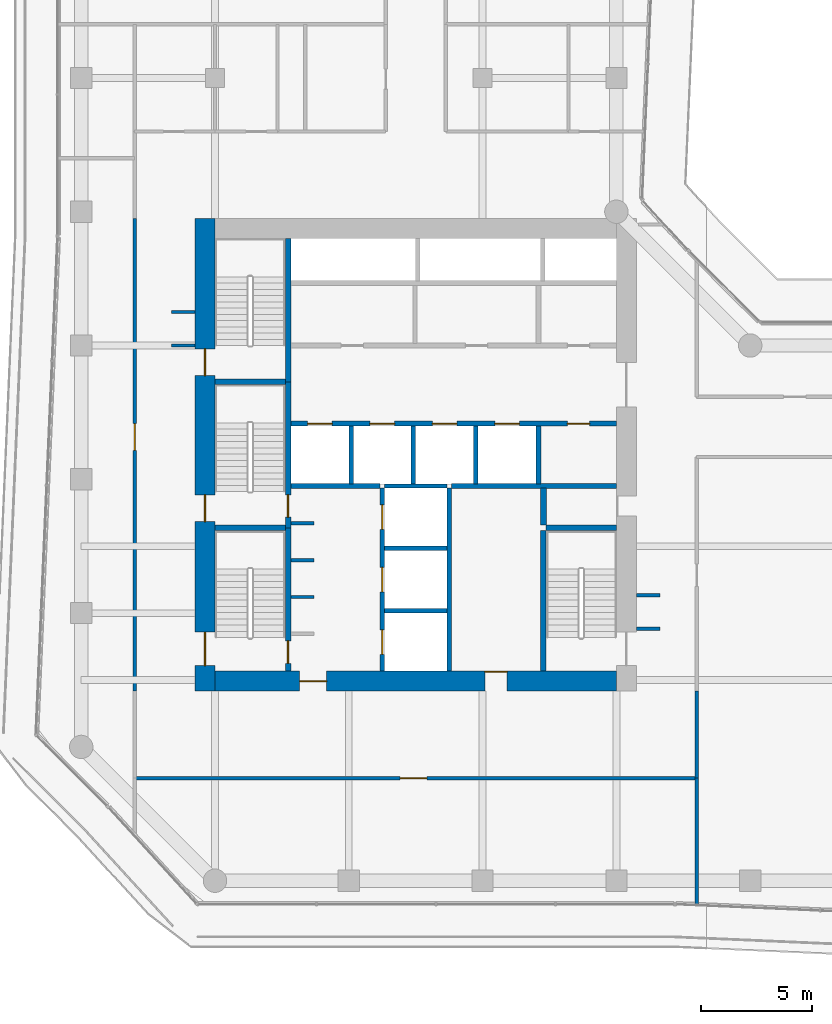
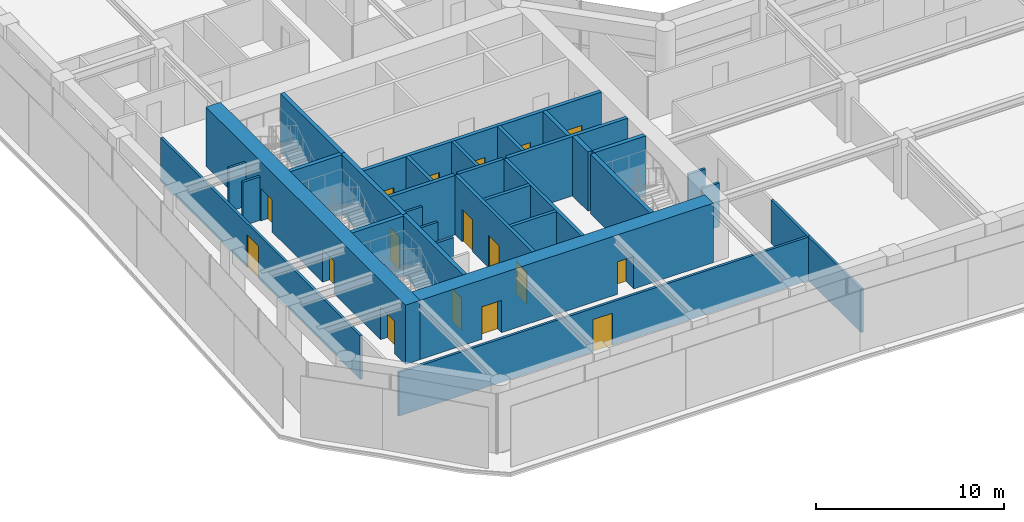
# One storey, part 23 of 29: 33 walls, 17 doors, 17 openings.
"""IFC4 building model written with IfcOpenShell, lengths in metres."""

from ifc_helpers import new_model, si_unit, direction, frame, frame_2d, origin, place, context, subcontext, project, spatial, rectangle, extrude, material, layer, layer_set, type_object, element, fill, save


model = new_model("IFC4")

# Units and contexts
model_context = context("Model", 3, precision=1e-05, world=origin(), true_north=direction((0.0, 1.0)))
body_context = subcontext(model_context, "Body", "Model", "MODEL_VIEW")
ifc_project = project(units=[si_unit("LENGTHUNIT", "METRE"), si_unit("AREAUNIT", "SQUARE_METRE"), si_unit("VOLUMEUNIT", "CUBIC_METRE"), si_unit("PLANEANGLEUNIT", "RADIAN"), si_unit("MASSUNIT", "GRAM", prefix="KILO")], contexts=[model_context])

# Site, building, storey
site_placement = place(None, origin())
site = spatial("IfcSite", under=ifc_project, at=site_placement, CompositionType="ELEMENT")
building_placement = place(site_placement, origin())
building = spatial("IfcBuilding", under=site, at=building_placement, Name="Welwitschia Terrace Campus", CompositionType="ELEMENT")
storey_placement = place(building_placement, frame((0.0, 0.0, 41.60009765625)))
storey = spatial("IfcBuildingStorey", under=building, at=storey_placement, Name="L09", CompositionType="ELEMENT", Elevation=41.60009765625)

# Walls
ifc_material_1 = material(Name="Concrete C32/40", Category="concrete")
ifc_layer_1 = layer(ifc_material_1, 0.22509765625)
ifc_layer_set_1 = layer_set([ifc_layer_1], Name="Concrete C32/40")
wall_type_1 = type_object("IfcWallType", Name="Core partition 225 Concrete C32/40", PredefinedType="PARTITIONING", material=ifc_layer_set_1)
wall_1_placement = place(storey_placement, frame((9.39990234375, 13.699951171875, 0.0), z_axis=(0.0, 0.0, 1.0), x_axis=(1.0, 0.0, 0.0)))
element("IfcWall", 1, at=wall_1_placement, inside=storey, type_object=wall_type_1, Name="Shaft wall", PredefinedType="PARTITIONING", context=body_context, shape_type="SweptSolid", body=[
    extrude(rectangle(XDim=4.0, YDim=0.22509765625, at=frame_2d((2.0, 0.0))), origin(), (0.0, 0.0, 1.0), 3.849853515625),
])
wall_2_placement = place(storey_placement, frame((16.60009765625, 13.699951171875, 0.0), z_axis=(0.0, 0.0, 1.0), x_axis=(1.0, 0.0, 0.0)))
element("IfcWall", 2, at=wall_2_placement, inside=storey, type_object=wall_type_1, Name="Shaft wall", PredefinedType="PARTITIONING", context=body_context, shape_type="SweptSolid", body=[
    extrude(rectangle(XDim=7.39990234375, YDim=0.22509765625, at=frame_2d((3.699951171875, 0.0))), origin(), (0.0, 0.0, 1.0), 3.849853515625),
])

# Wall, openings, doors
wall_3_placement = place(storey_placement, frame((9.39990234375, 16.5, 0.0), z_axis=(0.0, 0.0, 1.0), x_axis=(1.0, 0.0, 0.0)))
wall_3 = element("IfcWall", 3, at=wall_3_placement, inside=storey, type_object=wall_type_1, Name="Shaft wall", PredefinedType="PARTITIONING", context=body_context, shape_type="SweptSolid", body=[
    extrude(rectangle(XDim=14.60009765625, YDim=0.22509765625, at=frame_2d((7.300048828125, 0.0))), origin(), (0.0, 0.0, 1.0), 3.849853515625),
])
opening_1_placement = place(wall_3_placement, frame((0.75, 0.0, 0.0)))
opening_1 = element("IfcOpeningElement", 4, at=opening_1_placement, cuts=wall_3, Name="Opening LD", PredefinedType="OPENING", context=body_context, shape_type="SweptSolid", body=[
    extrude(rectangle(XDim=1.10009765625, YDim=2.10009765625, at=frame_2d((0.550048828125, 1.050048828125))), frame((0.0, 0.12255859375, 0.0), z_axis=(0.0, -1.0, 0.0), x_axis=(1.0, 0.0, 0.0)), (0.0, 0.0, 1.0), 0.2451171875),
])
opening_2_placement = place(wall_3_placement, frame((3.550048828125, 0.0, 0.0)))
opening_2 = element("IfcOpeningElement", 5, at=opening_2_placement, cuts=wall_3, Name="Opening LD", PredefinedType="OPENING", context=body_context, shape_type="SweptSolid", body=[
    extrude(rectangle(XDim=1.10009765625, YDim=2.10009765625, at=frame_2d((0.550048828125, 1.050048828125))), frame((0.0, 0.12255859375, 0.0), z_axis=(0.0, -1.0, 0.0), x_axis=(1.0, 0.0, 0.0)), (0.0, 0.0, 1.0), 0.2451171875),
])
opening_3_placement = place(wall_3_placement, frame((6.35009765625, 0.0, 0.0)))
opening_3 = element("IfcOpeningElement", 6, at=opening_3_placement, cuts=wall_3, Name="Opening LD", PredefinedType="OPENING", context=body_context, shape_type="SweptSolid", body=[
    extrude(rectangle(XDim=1.10009765625, YDim=2.10009765625, at=frame_2d((0.550048828125, 1.050048828125))), frame((0.0, 0.12255859375, 0.0), z_axis=(0.0, -1.0, 0.0), x_axis=(1.0, 0.0, 0.0)), (0.0, 0.0, 1.0), 0.2451171875),
])
opening_4_placement = place(wall_3_placement, frame((9.14990234375, 0.0, 0.0)))
opening_4 = element("IfcOpeningElement", 7, at=opening_4_placement, cuts=wall_3, Name="Opening LD", PredefinedType="OPENING", context=body_context, shape_type="SweptSolid", body=[
    extrude(rectangle(XDim=1.10009765625, YDim=2.10009765625, at=frame_2d((0.550048828125, 1.050048828125))), frame((0.0, 0.12255859375, 0.0), z_axis=(0.0, -1.0, 0.0), x_axis=(1.0, 0.0, 0.0)), (0.0, 0.0, 1.0), 0.2451171875),
])
opening_5_placement = place(wall_3_placement, frame((12.39990234375, 0.0, 0.0)))
opening_5 = element("IfcOpeningElement", 8, at=opening_5_placement, cuts=wall_3, Name="Opening DR10", PredefinedType="OPENING", context=body_context, shape_type="SweptSolid", body=[
    extrude(rectangle(XDim=1.0, YDim=2.10009765625, at=frame_2d((0.5, 1.050048828125))), frame((0.0, 0.12255859375, 0.0), z_axis=(0.0, -1.0, 0.0), x_axis=(1.0, 0.0, 0.0)), (0.0, 0.0, 1.0), 0.2451171875),
])
ifc_material_2 = material(Name="Steel S275", Category="steel")
door_type_1 = type_object("IfcDoorType", Name="Core door DR10", OperationType="SINGLE_SWING_LEFT", PredefinedType="DOOR", material=ifc_material_2)
door_1_placement = place(opening_5_placement, origin())
door_1 = element("IfcDoor", 9, at=door_1_placement, inside=storey, type_object=door_type_1, Name="Door EL-D", OperationType="SINGLE_SWING_RIGHT", OverallHeight=2.10009765625, OverallWidth=1.0, PredefinedType="DOOR", context=body_context, shape_type="SweptSolid", body=[
    extrude(rectangle(XDim=1.0, YDim=2.10009765625, at=frame_2d((0.5, 1.050048828125))), frame((0.0, 0.02490234375, 0.0), z_axis=(0.0, -1.0, 0.0), x_axis=(1.0, 0.0, 0.0)), (0.0, 0.0, 1.0), 0.050048828125),
])
fill(opening_5, door_1)
ifc_material_3 = material(Name="Stainless steel 304", Category="steel")
door_type_2 = type_object("IfcDoorType", Name="Lift landing door", OperationType="DOUBLE_DOOR_SLIDING", PredefinedType="DOOR", material=ifc_material_3)
door_2_placement = place(opening_1_placement, origin())
door_2 = element("IfcDoor", 10, at=door_2_placement, inside=storey, type_object=door_type_2, Name="Landing door LR1", OperationType="DOUBLE_DOOR_SLIDING", OverallHeight=2.10009765625, OverallWidth=1.10009765625, PredefinedType="DOOR", context=body_context, shape_type="SweptSolid", body=[
    extrude(rectangle(XDim=1.10009765625, YDim=2.10009765625, at=frame_2d((0.550048828125, 1.050048828125))), frame((0.0, 0.02490234375, 0.0), z_axis=(0.0, -1.0, 0.0), x_axis=(1.0, 0.0, 0.0)), (0.0, 0.0, 1.0), 0.050048828125),
])
fill(opening_1, door_2)
door_3_placement = place(opening_2_placement, origin())
door_3 = element("IfcDoor", 11, at=door_3_placement, inside=storey, type_object=door_type_2, Name="Landing door LR2", OperationType="DOUBLE_DOOR_SLIDING", OverallHeight=2.10009765625, OverallWidth=1.10009765625, PredefinedType="DOOR", context=body_context, shape_type="SweptSolid", body=[
    extrude(rectangle(XDim=1.10009765625, YDim=2.10009765625, at=frame_2d((0.550048828125, 1.050048828125))), frame((0.0, 0.02490234375, 0.0), z_axis=(0.0, -1.0, 0.0), x_axis=(1.0, 0.0, 0.0)), (0.0, 0.0, 1.0), 0.050048828125),
])
fill(opening_2, door_3)
door_4_placement = place(opening_3_placement, origin())
door_4 = element("IfcDoor", 12, at=door_4_placement, inside=storey, type_object=door_type_2, Name="Landing door LR3", OperationType="DOUBLE_DOOR_SLIDING", OverallHeight=2.10009765625, OverallWidth=1.10009765625, PredefinedType="DOOR", context=body_context, shape_type="SweptSolid", body=[
    extrude(rectangle(XDim=1.10009765625, YDim=2.10009765625, at=frame_2d((0.550048828125, 1.050048828125))), frame((0.0, 0.02490234375, 0.0), z_axis=(0.0, -1.0, 0.0), x_axis=(1.0, 0.0, 0.0)), (0.0, 0.0, 1.0), 0.050048828125),
])
fill(opening_3, door_4)
door_5_placement = place(opening_4_placement, origin())
door_5 = element("IfcDoor", 13, at=door_5_placement, inside=storey, type_object=door_type_2, Name="Landing door LR4", OperationType="DOUBLE_DOOR_SLIDING", OverallHeight=2.10009765625, OverallWidth=1.10009765625, PredefinedType="DOOR", context=body_context, shape_type="SweptSolid", body=[
    extrude(rectangle(XDim=1.10009765625, YDim=2.10009765625, at=frame_2d((0.550048828125, 1.050048828125))), frame((0.0, 0.02490234375, 0.0), z_axis=(0.0, -1.0, 0.0), x_axis=(1.0, 0.0, 0.0)), (0.0, 0.0, 1.0), 0.050048828125),
])
fill(opening_4, door_5)

# Walls
wall_4_placement = place(storey_placement, frame((20.5, 13.800048828125, 0.0), z_axis=(0.0, 0.0, 1.0), x_axis=(0.0, 1.0, 0.0)))
element("IfcWall", 14, at=wall_4_placement, inside=storey, type_object=wall_type_1, Name="Shaft wall", PredefinedType="PARTITIONING", context=body_context, shape_type="SweptSolid", body=[
    extrude(rectangle(XDim=2.599853515625, YDim=0.22509765625, at=frame_2d((1.2998046875, 0.0))), origin(), (0.0, 0.0, 1.0), 3.849853515625),
])
ifc_material_4 = material(Name="Concrete C32/40", Category="concrete")
ifc_layer_2 = layer(ifc_material_4, 0.27490234375)
ifc_layer_set_2 = layer_set([ifc_layer_2], Name="Concrete C32/40")
wall_type_2 = type_object("IfcWallType", Name="Core partition 275 Concrete C32/40", PredefinedType="PARTITIONING", material=ifc_layer_set_2)
wall_5_placement = place(storey_placement, frame((20.72509765625, 11.949951171875, 0.0), z_axis=(0.0, 0.0, 1.0), x_axis=(0.0, 1.0, 0.0)))
element("IfcWall", 15, at=wall_5_placement, inside=storey, type_object=wall_type_2, Name="Core partition", PredefinedType="PARTITIONING", context=body_context, shape_type="SweptSolid", body=[
    extrude(rectangle(XDim=1.650146484375, YDim=0.27490234375, at=frame_2d((0.8251953125, 0.0))), origin(), (0.0, 0.0, 1.0), 3.849853515625),
])
ifc_material_5 = material(Name="Concrete C50/60", Category="concrete")
ifc_layer_3 = layer(ifc_material_5, 0.14990234375)
ifc_layer_set_3 = layer_set([ifc_layer_3], Name="Concrete C50/60")
wall_type_3 = type_object("IfcWallType", Name="Core wall 150 Concrete C50/60", PredefinedType="SHEAR", material=ifc_layer_set_3)
for number, where, z_axis, x_axis, name in (
    (16, (9.39990234375, 8.72509765625, 0.0), (0.0, 0.0, 1.0), (1.0, 0.0, 0.0), "Core wall"),
    (17, (9.39990234375, 10.375, 0.0), (0.0, 0.0, 1.0), (1.0, 0.0, 0.0), "Core wall"),
    (18, (9.39990234375, 12.02490234375, 0.0), (0.0, 0.0, 1.0), (1.0, 0.0, 0.0), "Core wall"),
):
    element("IfcWall", number, at=place(storey_placement, frame(where, z_axis=z_axis, x_axis=x_axis)), inside=storey, type_object=wall_type_3, Name=name, PredefinedType="SHEAR", context=body_context, shape_type="SweptSolid", body=[
        extrude(rectangle(XDim=1.050048828125, YDim=0.14990234375, at=frame_2d((0.52490234375, 0.0))), origin(), (0.0, 0.0, 1.0), 3.849853515625),
    ])
ifc_material_6 = material(Name="Concrete C50/60", Category="concrete")
ifc_layer_4 = layer(ifc_material_6, 0.199951171875)
ifc_layer_set_4 = layer_set([ifc_layer_4], Name="Concrete C50/60")
wall_type_4 = type_object("IfcWallType", Name="Core wall 200 Concrete C50/60", PredefinedType="SHEAR", material=ifc_layer_set_4)
for number, where, z_axis, x_axis, name in (
    (19, (13.60009765625, 8.10009765625, 0.0), (0.0, 0.0, 1.0), (1.0, 0.0, 0.0), "Core wall"),
    (20, (13.60009765625, 10.89990234375, 0.0), (0.0, 0.0, 1.0), (1.0, 0.0, 0.0), "Core wall"),
    (21, (13.60009765625, 13.699951171875, 0.0), (0.0, 0.0, 1.0), (1.0, 0.0, 0.0), "Core wall"),
):
    element("IfcWall", number, at=place(storey_placement, frame(where, z_axis=z_axis, x_axis=x_axis)), inside=storey, type_object=wall_type_4, Name=name, PredefinedType="SHEAR", context=body_context, shape_type="SweptSolid", body=[
        extrude(rectangle(XDim=2.7998046875, YDim=0.199951171875, at=frame_2d((1.39990234375, 0.0))), origin(), (0.0, 0.0, 1.0), 3.849853515625),
    ])

# Wall, openings, doors
wall_6_placement = place(storey_placement, frame((13.5, 5.39990234375, 0.0), z_axis=(0.0, 0.0, 1.0), x_axis=(0.0, 1.0, 0.0)))
wall_6 = element("IfcWall", 22, at=wall_6_placement, inside=storey, type_object=wall_type_4, Name="Core wall", PredefinedType="SHEAR", context=body_context, shape_type="SweptSolid", body=[
    extrude(rectangle(XDim=8.2001953125, YDim=0.199951171875, at=frame_2d((4.10009765625, 0.0))), origin(), (0.0, 0.0, 1.0), 3.849853515625),
])
opening_6_placement = place(wall_6_placement, frame((0.75, 0.0, 0.0)))
opening_6 = element("IfcOpeningElement", 23, at=opening_6_placement, cuts=wall_6, Name="Opening LD", PredefinedType="OPENING", context=body_context, shape_type="SweptSolid", body=[
    extrude(rectangle(XDim=1.10009765625, YDim=2.10009765625, at=frame_2d((0.550048828125, 1.050048828125))), frame((0.0, 0.10986328125, 0.0), z_axis=(0.0, -1.0, 0.0), x_axis=(1.0, 0.0, 0.0)), (0.0, 0.0, 1.0), 0.219970703125),
])
opening_7_placement = place(wall_6_placement, frame((3.550048828125, 0.0, 0.0)))
opening_7 = element("IfcOpeningElement", 24, at=opening_7_placement, cuts=wall_6, Name="Opening LD", PredefinedType="OPENING", context=body_context, shape_type="SweptSolid", body=[
    extrude(rectangle(XDim=1.10009765625, YDim=2.10009765625, at=frame_2d((0.550048828125, 1.050048828125))), frame((0.0, 0.10986328125, 0.0), z_axis=(0.0, -1.0, 0.0), x_axis=(1.0, 0.0, 0.0)), (0.0, 0.0, 1.0), 0.219970703125),
])
opening_8_placement = place(wall_6_placement, frame((6.35009765625, 0.0, 0.0)))
opening_8 = element("IfcOpeningElement", 25, at=opening_8_placement, cuts=wall_6, Name="Opening LD", PredefinedType="OPENING", context=body_context, shape_type="SweptSolid", body=[
    extrude(rectangle(XDim=1.10009765625, YDim=2.10009765625, at=frame_2d((0.550048828125, 1.050048828125))), frame((0.0, 0.10986328125, 0.0), z_axis=(0.0, -1.0, 0.0), x_axis=(1.0, 0.0, 0.0)), (0.0, 0.0, 1.0), 0.219970703125),
])
door_6_placement = place(opening_6_placement, origin())
door_6 = element("IfcDoor", 26, at=door_6_placement, inside=storey, type_object=door_type_2, Name="Landing door FF1", OperationType="DOUBLE_DOOR_SLIDING", OverallHeight=2.10009765625, OverallWidth=1.10009765625, PredefinedType="DOOR", context=body_context, shape_type="SweptSolid", body=[
    extrude(rectangle(XDim=1.10009765625, YDim=2.10009765625, at=frame_2d((0.550048828125, 1.050048828125))), frame((0.0, 0.02490234375, 0.0), z_axis=(0.0, -1.0, 0.0), x_axis=(1.0, 0.0, 0.0)), (0.0, 0.0, 1.0), 0.050048828125),
])
fill(opening_6, door_6)
door_7_placement = place(opening_7_placement, origin())
door_7 = element("IfcDoor", 27, at=door_7_placement, inside=storey, type_object=door_type_2, Name="Landing door FF2", OperationType="DOUBLE_DOOR_SLIDING", OverallHeight=2.10009765625, OverallWidth=1.10009765625, PredefinedType="DOOR", context=body_context, shape_type="SweptSolid", body=[
    extrude(rectangle(XDim=1.10009765625, YDim=2.10009765625, at=frame_2d((0.550048828125, 1.050048828125))), frame((0.0, 0.02490234375, 0.0), z_axis=(0.0, -1.0, 0.0), x_axis=(1.0, 0.0, 0.0)), (0.0, 0.0, 1.0), 0.050048828125),
])
fill(opening_7, door_7)
door_8_placement = place(opening_8_placement, origin())
door_8 = element("IfcDoor", 28, at=door_8_placement, inside=storey, type_object=door_type_2, Name="Landing door SV1", OperationType="DOUBLE_DOOR_SLIDING", OverallHeight=2.10009765625, OverallWidth=1.10009765625, PredefinedType="DOOR", context=body_context, shape_type="SweptSolid", body=[
    extrude(rectangle(XDim=1.10009765625, YDim=2.10009765625, at=frame_2d((0.550048828125, 1.050048828125))), frame((0.0, 0.02490234375, 0.0), z_axis=(0.0, -1.0, 0.0), x_axis=(1.0, 0.0, 0.0)), (0.0, 0.0, 1.0), 0.050048828125),
])
fill(opening_8, door_8)

# Walls
wall_7_placement = place(storey_placement, frame((16.5, 5.39990234375, 0.0), z_axis=(0.0, 0.0, 1.0), x_axis=(0.0, 1.0, 0.0)))
element("IfcWall", 29, at=wall_7_placement, inside=storey, type_object=wall_type_4, Name="Core wall", PredefinedType="SHEAR", context=body_context, shape_type="SweptSolid", body=[
    extrude(rectangle(XDim=8.2001953125, YDim=0.199951171875, at=frame_2d((4.10009765625, 0.0))), origin(), (0.0, 0.0, 1.0), 3.849853515625),
])
ifc_material_7 = material(Name="Concrete C50/60", Category="concrete")
ifc_layer_5 = layer(ifc_material_7, 0.25)
ifc_layer_set_5 = layer_set([ifc_layer_5], Name="Concrete C50/60")
wall_type_5 = type_object("IfcWallType", Name="Core wall 250 Concrete C50/60", PredefinedType="SHEAR", material=ifc_layer_set_5)
for number, where, z_axis, x_axis, name in (
    (30, (6.0, 11.824951171875, 0.0), (0.0, 0.0, 1.0), (1.0, 0.0, 0.0), "Core wall"),
    (31, (20.85009765625, 11.824951171875, 0.0), (0.0, 0.0, 1.0), (1.0, 0.0, 0.0), "Core wall"),
    (32, (6.0, 18.375, 0.0), (0.0, 0.0, 1.0), (1.0, 0.0, 0.0), "Core wall"),
):
    element("IfcWall", number, at=place(storey_placement, frame(where, z_axis=z_axis, x_axis=x_axis)), inside=storey, type_object=wall_type_5, Name=name, PredefinedType="SHEAR", context=body_context, shape_type="SweptSolid", body=[
        extrude(rectangle(XDim=3.14990234375, YDim=0.25, at=frame_2d((1.574951171875, 0.0))), origin(), (0.0, 0.0, 1.0), 3.849853515625),
    ])

# Wall, opening, door
wall_8_placement = place(storey_placement, frame((9.27490234375, 11.824951171875, 0.0), z_axis=(0.0, 0.0, 1.0), x_axis=(0.0, -1.0, 0.0)))
wall_8 = element("IfcWall", 33, at=wall_8_placement, inside=storey, type_object=wall_type_5, Name="Core wall", PredefinedType="SHEAR", context=body_context, shape_type="SweptSolid", body=[
    extrude(rectangle(XDim=6.425048828125, YDim=0.25, at=frame_2d((3.21240234375, 0.0))), origin(), (0.0, 0.0, 1.0), 3.849853515625),
])
opening_9_placement = place(wall_8_placement, frame((5.074951171875, 0.0, 0.0)))
opening_9 = element("IfcOpeningElement", 34, at=opening_9_placement, cuts=wall_8, Name="Opening DS10", PredefinedType="OPENING", context=body_context, shape_type="SweptSolid", body=[
    extrude(rectangle(XDim=1.0, YDim=2.10009765625, at=frame_2d((0.5, 1.050048828125))), frame((0.0, 0.135009765625, 0.0), z_axis=(0.0, -1.0, 0.0), x_axis=(1.0, 0.0, 0.0)), (0.0, 0.0, 1.0), 0.27001953125),
])
ifc_material_8 = material(Name="Steel S275", Category="steel")
door_type_3 = type_object("IfcDoorType", Name="Core door DS10", OperationType="SINGLE_SWING_LEFT", PredefinedType="DOOR", material=ifc_material_8)
door_9_placement = place(opening_9_placement, origin())
door_9 = element("IfcDoor", 35, at=door_9_placement, inside=storey, type_object=door_type_3, Name="Door S1-FL", OperationType="SINGLE_SWING_RIGHT", OverallHeight=2.10009765625, OverallWidth=1.0, PredefinedType="DOOR", context=body_context, shape_type="SweptSolid", body=[
    extrude(rectangle(XDim=1.0, YDim=2.10009765625, at=frame_2d((0.5, 1.050048828125))), frame((0.0, 0.02490234375, 0.0), z_axis=(0.0, -1.0, 0.0), x_axis=(1.0, 0.0, 0.0)), (0.0, 0.0, 1.0), 0.050048828125),
])
fill(opening_9, door_9)

wall_9_placement = place(storey_placement, frame((9.27490234375, 18.375, 0.0), z_axis=(0.0, 0.0, 1.0), x_axis=(0.0, -1.0, 0.0)))
wall_9 = element("IfcWall", 36, at=wall_9_placement, inside=storey, type_object=wall_type_5, Name="Core wall", PredefinedType="SHEAR", context=body_context, shape_type="SweptSolid", body=[
    extrude(rectangle(XDim=6.550048828125, YDim=0.25, at=frame_2d((3.27490234375, 0.0))), origin(), (0.0, 0.0, 1.0), 3.849853515625),
])
opening_10_placement = place(wall_9_placement, frame((5.074951171875, 0.0, 0.0)))
opening_10 = element("IfcOpeningElement", 37, at=opening_10_placement, cuts=wall_9, Name="Opening DS10", PredefinedType="OPENING", context=body_context, shape_type="SweptSolid", body=[
    extrude(rectangle(XDim=1.0, YDim=2.10009765625, at=frame_2d((0.5, 1.050048828125))), frame((0.0, 0.135009765625, 0.0), z_axis=(0.0, -1.0, 0.0), x_axis=(1.0, 0.0, 0.0)), (0.0, 0.0, 1.0), 0.27001953125),
])
door_10_placement = place(opening_10_placement, origin())
door_10 = element("IfcDoor", 38, at=door_10_placement, inside=storey, type_object=door_type_3, Name="Door S3-FL", OperationType="SINGLE_SWING_RIGHT", OverallHeight=2.10009765625, OverallWidth=1.0, PredefinedType="DOOR", context=body_context, shape_type="SweptSolid", body=[
    extrude(rectangle(XDim=1.0, YDim=2.10009765625, at=frame_2d((0.5, 1.050048828125))), frame((0.0, 0.02490234375, 0.0), z_axis=(0.0, -1.0, 0.0), x_axis=(1.0, 0.0, 0.0)), (0.0, 0.0, 1.0), 0.050048828125),
])
fill(opening_10, door_10)

# Walls
wall_10_placement = place(storey_placement, frame((9.27490234375, 18.375, 0.0), z_axis=(0.0, 0.0, 1.0), x_axis=(0.0, 1.0, 0.0)))
element("IfcWall", 39, at=wall_10_placement, inside=storey, type_object=wall_type_5, Name="Core wall", PredefinedType="SHEAR", context=body_context, shape_type="SweptSolid", body=[
    extrude(rectangle(XDim=6.425048828125, YDim=0.25, at=frame_2d((3.21240234375, 0.0))), origin(), (0.0, 0.0, 1.0), 3.849853515625),
])
wall_11_placement = place(storey_placement, frame((20.72509765625, 5.39990234375, 0.0), z_axis=(0.0, 0.0, 1.0), x_axis=(0.0, 1.0, 0.0)))
element("IfcWall", 40, at=wall_11_placement, inside=storey, type_object=wall_type_5, Name="Core wall", PredefinedType="SHEAR", context=body_context, shape_type="SweptSolid", body=[
    extrude(rectangle(XDim=6.300048828125, YDim=0.25, at=frame_2d((3.14990234375, 0.0))), origin(), (0.0, 0.0, 1.0), 3.849853515625),
])

# Wall, openings, doors
ifc_material_9 = material(Name="Concrete C70/85", Category="concrete")
ifc_layer_6 = layer(ifc_material_9, 0.89990234375)
ifc_layer_set_6 = layer_set([ifc_layer_6], Name="Concrete C70/85")
wall_type_6 = type_object("IfcWallType", Name="Core wall 900 Concrete C70/85", PredefinedType="SHEAR", material=ifc_layer_set_6)
wall_12_placement = place(storey_placement, frame((5.550048828125, 4.5, 0.0), z_axis=(0.0, 0.0, 1.0), x_axis=(0.0, 1.0, 0.0)))
wall_12 = element("IfcWall", 41, at=wall_12_placement, inside=storey, type_object=wall_type_6, Name="Core outer wall", PredefinedType="SHEAR", context=body_context, shape_type="SweptSolid", body=[
    extrude(rectangle(XDim=21.199951171875, YDim=0.89990234375, at=frame_2d((10.60009765625, 0.0))), origin(), (0.0, 0.0, 1.0), 3.849853515625),
])
opening_11_placement = place(wall_12_placement, frame((1.14990234375, 0.0, 0.0)))
opening_11 = element("IfcOpeningElement", 42, at=opening_11_placement, cuts=wall_12, Name="Opening DS15", PredefinedType="OPENING", context=body_context, shape_type="SweptSolid", body=[
    extrude(rectangle(XDim=1.5, YDim=2.10009765625, at=frame_2d((0.75, 1.050048828125))), frame((0.0, 0.4599609375, 0.0), z_axis=(0.0, -1.0, 0.0), x_axis=(1.0, 0.0, 0.0)), (0.0, 0.0, 1.0), 0.919921875),
])
opening_12_placement = place(wall_12_placement, frame((7.60009765625, 0.0, 0.0)))
opening_12 = element("IfcOpeningElement", 43, at=opening_12_placement, cuts=wall_12, Name="Opening DS12", PredefinedType="OPENING", context=body_context, shape_type="SweptSolid", body=[
    extrude(rectangle(XDim=1.199951171875, YDim=2.10009765625, at=frame_2d((0.60009765625, 1.050048828125))), frame((0.0, 0.4599609375, 0.0), z_axis=(0.0, -1.0, 0.0), x_axis=(1.0, 0.0, 0.0)), (0.0, 0.0, 1.0), 0.919921875),
])
opening_13_placement = place(wall_12_placement, frame((14.14990234375, 0.0, 0.0)))
opening_13 = element("IfcOpeningElement", 44, at=opening_13_placement, cuts=wall_12, Name="Opening DS12", PredefinedType="OPENING", context=body_context, shape_type="SweptSolid", body=[
    extrude(rectangle(XDim=1.199951171875, YDim=2.10009765625, at=frame_2d((0.60009765625, 1.050048828125))), frame((0.0, 0.4599609375, 0.0), z_axis=(0.0, -1.0, 0.0), x_axis=(1.0, 0.0, 0.0)), (0.0, 0.0, 1.0), 0.919921875),
])
ifc_material_10 = material(Name="Steel S275", Category="steel")
door_type_4 = type_object("IfcDoorType", Name="Core door DS12", OperationType="SINGLE_SWING_LEFT", PredefinedType="DOOR", material=ifc_material_10)
door_11_placement = place(opening_12_placement, origin())
door_11 = element("IfcDoor", 45, at=door_11_placement, inside=storey, type_object=door_type_4, Name="Door S3-out", OperationType="SINGLE_SWING_LEFT", OverallHeight=2.10009765625, OverallWidth=1.199951171875, PredefinedType="DOOR", context=body_context, shape_type="SweptSolid", body=[
    extrude(rectangle(XDim=1.199951171875, YDim=2.10009765625, at=frame_2d((0.60009765625, 1.050048828125))), frame((0.0, 0.02490234375, 0.0), z_axis=(0.0, -1.0, 0.0), x_axis=(1.0, 0.0, 0.0)), (0.0, 0.0, 1.0), 0.050048828125),
])
fill(opening_12, door_11)
door_12_placement = place(opening_13_placement, origin())
door_12 = element("IfcDoor", 46, at=door_12_placement, inside=storey, type_object=door_type_4, Name="Door S4-out", OperationType="SINGLE_SWING_RIGHT", OverallHeight=2.10009765625, OverallWidth=1.199951171875, PredefinedType="DOOR", context=body_context, shape_type="SweptSolid", body=[
    extrude(rectangle(XDim=1.199951171875, YDim=2.10009765625, at=frame_2d((0.60009765625, 1.050048828125))), frame((0.0, 0.02490234375, 0.0), z_axis=(0.0, -1.0, 0.0), x_axis=(1.0, 0.0, 0.0)), (0.0, 0.0, 1.0), 0.050048828125),
])
fill(opening_13, door_12)
ifc_material_11 = material(Name="Steel S275", Category="steel")
door_type_5 = type_object("IfcDoorType", Name="Core door DS15", OperationType="DOUBLE_DOOR_SINGLE_SWING", PredefinedType="DOOR", material=ifc_material_11)
door_13_placement = place(opening_11_placement, origin())
door_13 = element("IfcDoor", 47, at=door_13_placement, inside=storey, type_object=door_type_5, Name="Door S1-out", OperationType="DOUBLE_DOOR_SINGLE_SWING", OverallHeight=2.10009765625, OverallWidth=1.5, PredefinedType="DOOR", context=body_context, shape_type="SweptSolid", body=[
    extrude(rectangle(XDim=1.5, YDim=2.10009765625, at=frame_2d((0.75, 1.050048828125))), frame((0.0, 0.02490234375, 0.0), z_axis=(0.0, -1.0, 0.0), x_axis=(1.0, 0.0, 0.0)), (0.0, 0.0, 1.0), 0.050048828125),
])
fill(opening_11, door_13)

wall_13_placement = place(storey_placement, frame((24.0, 4.949951171875, 0.0), z_axis=(0.0, 0.0, 1.0), x_axis=(-1.0, 0.0, 0.0)))
wall_13 = element("IfcWall", 48, at=wall_13_placement, inside=storey, type_object=wall_type_6, Name="Core outer wall", PredefinedType="SHEAR", context=body_context, shape_type="SweptSolid", body=[
    extrude(rectangle(XDim=18.0, YDim=0.89990234375, at=frame_2d((9.0, 0.0))), origin(), (0.0, 0.0, 1.0), 3.849853515625),
])
opening_14_placement = place(wall_13_placement, frame((13.0, 0.0, 0.0)))
opening_14 = element("IfcOpeningElement", 49, at=opening_14_placement, cuts=wall_13, Name="Opening DF12", PredefinedType="OPENING", context=body_context, shape_type="SweptSolid", body=[
    extrude(rectangle(XDim=1.199951171875, YDim=2.10009765625, at=frame_2d((0.60009765625, 1.050048828125))), frame((0.0, 0.4599609375, 0.0), z_axis=(0.0, -1.0, 0.0), x_axis=(1.0, 0.0, 0.0)), (0.0, 0.0, 1.0), 0.919921875),
])
opening_15_placement = place(wall_13_placement, frame((4.89990234375, 0.0, 0.0)))
opening_15 = element("IfcOpeningElement", 50, at=opening_15_placement, cuts=wall_13, Name="Opening DR10", PredefinedType="OPENING", context=body_context, shape_type="SweptSolid", body=[
    extrude(rectangle(XDim=1.0, YDim=2.10009765625, at=frame_2d((0.5, 1.050048828125))), frame((0.0, 0.4599609375, 0.0), z_axis=(0.0, -1.0, 0.0), x_axis=(1.0, 0.0, 0.0)), (0.0, 0.0, 1.0), 0.919921875),
])
ifc_material_12 = material(Name="Steel S275", Category="steel")
door_type_6 = type_object("IfcDoorType", Name="Core door DF12", OperationType="SINGLE_SWING_LEFT", PredefinedType="DOOR", material=ifc_material_12)
door_14_placement = place(opening_14_placement, origin())
door_14 = element("IfcDoor", 51, at=door_14_placement, inside=storey, type_object=door_type_6, Name="Door FL-out", OperationType="SINGLE_SWING_RIGHT", OverallHeight=2.10009765625, OverallWidth=1.199951171875, PredefinedType="DOOR", context=body_context, shape_type="SweptSolid", body=[
    extrude(rectangle(XDim=1.199951171875, YDim=2.10009765625, at=frame_2d((0.60009765625, 1.050048828125))), frame((0.0, 0.02490234375, 0.0), z_axis=(0.0, -1.0, 0.0), x_axis=(1.0, 0.0, 0.0)), (0.0, 0.0, 1.0), 0.050048828125),
])
fill(opening_14, door_14)
door_15_placement = place(opening_15_placement, origin())
door_15 = element("IfcDoor", 52, at=door_15_placement, inside=storey, type_object=door_type_1, Name="Door F1-out", OperationType="SINGLE_SWING_LEFT", OverallHeight=2.10009765625, OverallWidth=1.0, PredefinedType="DOOR", context=body_context, shape_type="SweptSolid", body=[
    extrude(rectangle(XDim=1.0, YDim=2.10009765625, at=frame_2d((0.5, 1.050048828125))), frame((0.0, -0.39013671875, 0.0), z_axis=(0.0, -1.0, 0.0), x_axis=(1.0, 0.0, 0.0)), (0.0, 0.0, 1.0), 0.050048828125),
])
fill(opening_15, door_15)

# Wall, opening, door
ifc_material_13 = material(Name="Gypsum board on steel studs", Category="steel")
ifc_layer_7 = layer(ifc_material_13, 0.14990234375)
ifc_layer_set_7 = layer_set([ifc_layer_7], Name="Gypsum board on steel studs")
wall_type_7 = type_object("IfcWallType", Name="Corridor partition 150 EI 30", PredefinedType="PARTITIONING", material=ifc_layer_set_7)
wall_14_placement = place(storey_placement, frame((2.39990234375, 4.5, 0.0), z_axis=(0.0, 0.0, 1.0), x_axis=(0.0, 1.0, 0.0)))
wall_14 = element("IfcWall", 53, at=wall_14_placement, inside=storey, type_object=wall_type_7, Name="Partition", PredefinedType="PARTITIONING", context=body_context, shape_type="SweptSolid", body=[
    extrude(rectangle(XDim=21.199951171875, YDim=0.14990234375, at=frame_2d((10.60009765625, 0.0))), origin(), (0.0, 0.0, 1.0), 2.829833984375),
])
opening_16_placement = place(wall_14_placement, frame((10.800048828125, 0.0, 0.0)))
opening_16 = element("IfcOpeningElement", 54, at=opening_16_placement, cuts=wall_14, Name="Opening DI12", PredefinedType="OPENING", context=body_context, shape_type="SweptSolid", body=[
    extrude(rectangle(XDim=1.199951171875, YDim=2.10009765625, at=frame_2d((0.60009765625, 1.050048828125))), frame((0.0, 0.0849609375, 0.0), z_axis=(0.0, -1.0, 0.0), x_axis=(1.0, 0.0, 0.0)), (0.0, 0.0, 1.0), 0.169921875),
])
ifc_material_14 = material(Name="Timber veneered door", Category="wood")
door_type_7 = type_object("IfcDoorType", Name="Interior door DI12", OperationType="NOTDEFINED", PredefinedType="DOOR", material=ifc_material_14)
door_16_placement = place(opening_16_placement, origin())
door_16 = element("IfcDoor", 55, at=door_16_placement, inside=storey, type_object=door_type_7, Name="Door L09 209", OperationType="SINGLE_SWING_RIGHT", OverallHeight=2.10009765625, OverallWidth=1.199951171875, PredefinedType="DOOR", context=body_context, shape_type="SweptSolid", body=[
    extrude(rectangle(XDim=1.199951171875, YDim=2.10009765625, at=frame_2d((0.60009765625, 1.050048828125))), frame((0.0, 0.02490234375, 0.0), z_axis=(0.0, -1.0, 0.0), x_axis=(1.0, 0.0, 0.0)), (0.0, 0.0, 1.0), 0.050048828125),
])
fill(opening_16, door_16)

# Walls
for number, where, z_axis, x_axis, name in (
    (56, (4.050048828125, 20.0, 0.0), (0.0, 0.0, 1.0), (1.0, 0.0, 0.0), "Partition"),
    (57, (4.050048828125, 21.5, 0.0), (0.0, 0.0, 1.0), (1.0, 0.0, 0.0), "Partition"),
    (58, (24.89990234375, 7.300048828125, 0.0), (0.0, 0.0, 1.0), (1.0, 0.0, 0.0), "Partition"),
    (59, (24.89990234375, 8.800048828125, 0.0), (0.0, 0.0, 1.0), (1.0, 0.0, 0.0), "Partition"),
):
    element("IfcWall", number, at=place(storey_placement, frame(where, z_axis=z_axis, x_axis=x_axis)), inside=storey, type_object=wall_type_7, Name=name, PredefinedType="PARTITIONING", context=body_context, shape_type="SweptSolid", body=[
        extrude(rectangle(XDim=1.050048828125, YDim=0.14990234375, at=frame_2d((0.52490234375, 0.0))), origin(), (0.0, 0.0, 1.0), 2.829833984375),
    ])
wall_15_placement = place(storey_placement, frame((27.60009765625, -5.050048828125, 0.0), z_axis=(0.0, 0.0, 1.0), x_axis=(0.0, 1.0, 0.0)))
element("IfcWall", 60, at=wall_15_placement, inside=storey, type_object=wall_type_7, Name="Partition", PredefinedType="PARTITIONING", context=body_context, shape_type="SweptSolid", body=[
    extrude(rectangle(XDim=5.650146484375, YDim=0.14990234375, at=frame_2d((2.8251953125, 0.0))), origin(), (0.0, 0.0, 1.0), 2.829833984375),
])

# Wall, opening, door
wall_16_placement = place(storey_placement, frame((27.60009765625, 0.60009765625, 0.0), z_axis=(0.0, 0.0, 1.0), x_axis=(-1.0, 0.0, 0.0)))
wall_16 = element("IfcWall", 61, at=wall_16_placement, inside=storey, type_object=wall_type_7, Name="Partition", PredefinedType="PARTITIONING", context=body_context, shape_type="SweptSolid", body=[
    extrude(rectangle(XDim=25.2001953125, YDim=0.14990234375, at=frame_2d((12.60009765625, 0.0))), origin(), (0.0, 0.0, 1.0), 2.829833984375),
])
opening_17_placement = place(wall_16_placement, frame((12.10009765625, 0.0, 0.0)))
opening_17 = element("IfcOpeningElement", 62, at=opening_17_placement, cuts=wall_16, Name="Opening DI12", PredefinedType="OPENING", context=body_context, shape_type="SweptSolid", body=[
    extrude(rectangle(XDim=1.199951171875, YDim=2.10009765625, at=frame_2d((0.60009765625, 1.050048828125))), frame((0.0, 0.0849609375, 0.0), z_axis=(0.0, -1.0, 0.0), x_axis=(1.0, 0.0, 0.0)), (0.0, 0.0, 1.0), 0.169921875),
])
door_17_placement = place(opening_17_placement, origin())
door_17 = element("IfcDoor", 63, at=door_17_placement, inside=storey, type_object=door_type_7, Name="Door L09 220", OperationType="SINGLE_SWING_LEFT", OverallHeight=2.10009765625, OverallWidth=1.199951171875, PredefinedType="DOOR", context=body_context, shape_type="SweptSolid", body=[
    extrude(rectangle(XDim=1.199951171875, YDim=2.10009765625, at=frame_2d((0.60009765625, 1.050048828125))), frame((0.0, 0.02490234375, 0.0), z_axis=(0.0, -1.0, 0.0), x_axis=(1.0, 0.0, 0.0)), (0.0, 0.0, 1.0), 0.050048828125),
])
fill(opening_17, door_17)

# Walls
wall_17_placement = place(storey_placement, frame((27.60009765625, 0.60009765625, 0.0), z_axis=(0.0, 0.0, 1.0), x_axis=(0.0, 1.0, 0.0)))
element("IfcWall", 64, at=wall_17_placement, inside=storey, type_object=wall_type_7, Name="Partition", PredefinedType="PARTITIONING", context=body_context, shape_type="SweptSolid", body=[
    extrude(rectangle(XDim=3.89990234375, YDim=0.14990234375, at=frame_2d((1.949951171875, 0.0))), origin(), (0.0, 0.0, 1.0), 2.829833984375),
])
ifc_material_15 = material(Name="Concrete C32/40", Category="concrete")
ifc_layer_8 = layer(ifc_material_15, 0.199951171875)
ifc_layer_set_8 = layer_set([ifc_layer_8], Name="Concrete C32/40")
wall_type_8 = type_object("IfcWallType", Name="Shaft wall 200 Concrete C32/40", PredefinedType="SOLIDWALL", material=ifc_layer_set_8)
for number, where, z_axis, x_axis, name in (
    (65, (12.10009765625, 13.800048828125, 0.0), (0.0, 0.0, 1.0), (0.0, 1.0, 0.0), "Shaft wall"),
    (66, (14.89990234375, 13.800048828125, 0.0), (0.0, 0.0, 1.0), (0.0, 1.0, 0.0), "Shaft wall"),
    (67, (17.699951171875, 13.800048828125, 0.0), (0.0, 0.0, 1.0), (0.0, 1.0, 0.0), "Shaft wall"),
):
    element("IfcWall", number, at=place(storey_placement, frame(where, z_axis=z_axis, x_axis=x_axis)), inside=storey, type_object=wall_type_8, Name=name, PredefinedType="SOLIDWALL", context=body_context, shape_type="SweptSolid", body=[
        extrude(rectangle(XDim=2.599853515625, YDim=0.199951171875, at=frame_2d((1.2998046875, 0.0))), origin(), (0.0, 0.0, 1.0), 3.849853515625),
    ])

save(model, "model.ifc")
